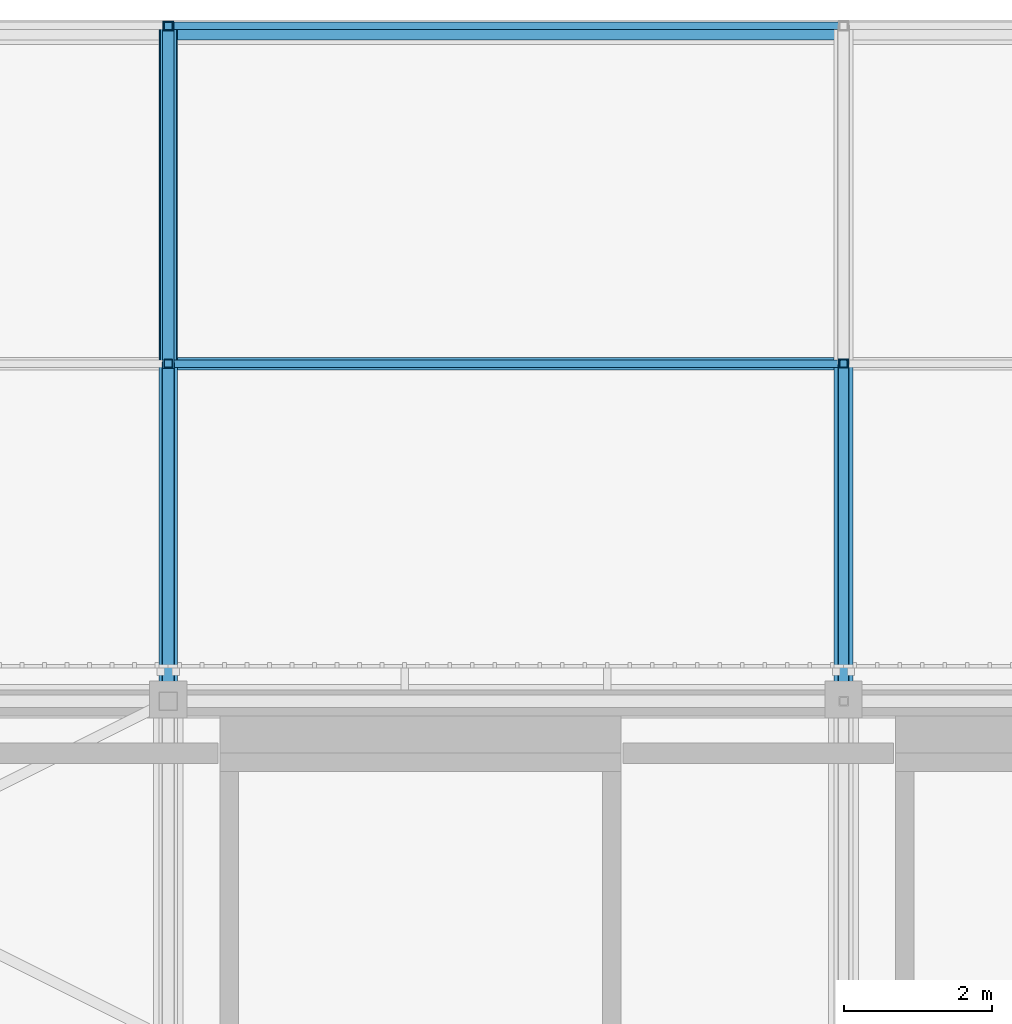
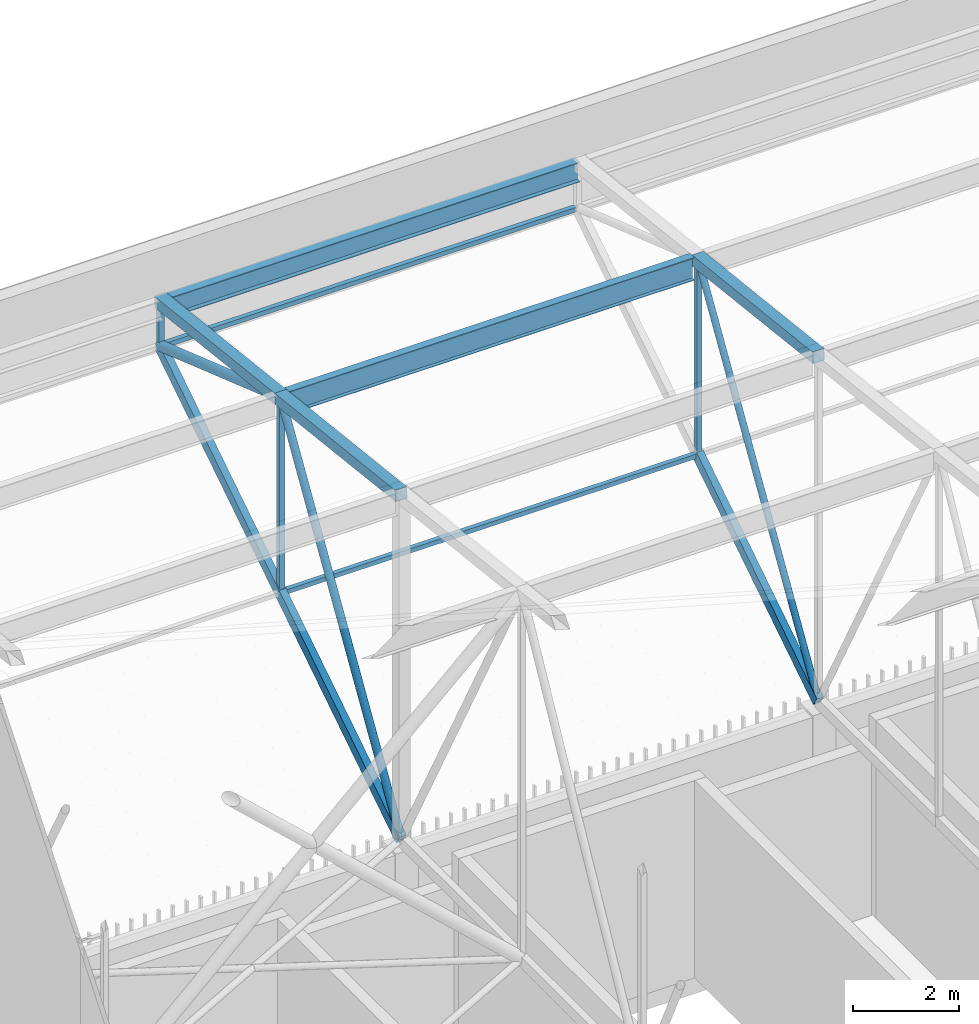
# One storey, part 234 of 500: 16 members.
"""IFC4 building model written with IfcOpenShell, lengths in metres."""

from ifc_helpers import new_model, si_unit, direction, frame, origin, origin_2d, place, context, subcontext, project, spatial, hollow_rectangle, hollow_circle, i_section, extrude, material, material_profile, profile_set, type_object, element, save


model = new_model("IFC4")

# Units and contexts
model_context = context("Model", 3, precision=1e-05, world=origin(), true_north=direction((0.0, 1.0)))
body_context = subcontext(model_context, "Body", "Model", "MODEL_VIEW")
ifc_project = project(units=[si_unit("LENGTHUNIT", "METRE"), si_unit("AREAUNIT", "SQUARE_METRE"), si_unit("VOLUMEUNIT", "CUBIC_METRE"), si_unit("PLANEANGLEUNIT", "RADIAN"), si_unit("MASSUNIT", "GRAM", prefix="KILO")], contexts=[model_context])

# Site, building, storey
site_placement = place(None, origin())
site = spatial("IfcSite", under=ifc_project, at=site_placement, CompositionType="ELEMENT")
building_placement = place(site_placement, origin())
building = spatial("IfcBuilding", under=site, at=building_placement, Name="Shirokan Park Arena", CompositionType="ELEMENT")
storey_placement = place(building_placement, frame((0.0, 0.0, 29.1201171875)))
storey = spatial("IfcBuildingStorey", under=building, at=storey_placement, Name="L06", CompositionType="ELEMENT", Elevation=29.1201171875)

# Members
ifc_material_1 = material(Name="Steel ASTM A500 Grade C", Category="steel")
ifc_material_profile_1 = material_profile(ifc_material_1, hollow_rectangle(XDim=0.152099609375, YDim=0.25390625, WallThickness=0.009521484375, at=origin_2d()), Name="HSS254X152.4X9.5")
ifc_profile_set_1 = profile_set([ifc_material_profile_1], Name="Steel ASTM A500 Grade C")
member_type_1 = type_object("IfcMemberType", Name="Bottom chord HSS254X152.4X9.5", PredefinedType="CHORD", material=ifc_profile_set_1)
for number, where, z_axis, x_axis, name in (
    (1, (9.10009765625, 109.199951171875, 4.677001953125), (0.0, 0.840971691661, 0.541079119746), (-1.0, 0.0, 0.0), "Truss T02 bottom chord 27"),
    (2, (9.10009765625, 113.75, 7.6044921875), (0.0, 0.840971691661, 0.541079119746), (-1.0, 0.0, 0.0), "Truss T02 bottom chord 28"),
    (3, (18.199951171875, 109.199951171875, 4.677001953125), (0.0, 0.840971691661, 0.541079119746), (-1.0, 0.0, 0.0), "Truss T03 bottom chord 27"),
):
    element("IfcMember", number, at=place(storey_placement, frame(where, z_axis=z_axis, x_axis=x_axis)), inside=storey, type_object=member_type_1, Name=name, PredefinedType="CHORD", context=body_context, shape_type="SweptSolid", body=[
        extrude(hollow_rectangle(XDim=0.152099609375, YDim=0.25390625, WallThickness=0.009521484375, at=origin_2d()), origin(), (0.0, 0.0, 1.0), 5.410400390625),
    ])
ifc_material_profile_2 = material_profile(ifc_material_1, hollow_rectangle(XDim=0.10205078125, YDim=0.10205078125, WallThickness=0.00634765625, at=origin_2d()), Name="HSS101.6X101.6X6.4")
ifc_profile_set_2 = profile_set([ifc_material_profile_2], Name="Steel ASTM A500 Grade C")
member_type_2 = type_object("IfcMemberType", Name="Eave soffit rail HSS101.6X101.6X6.4", PredefinedType="USERDEFINED", material=ifc_profile_set_2)
for number, where, z_axis, x_axis, name in (
    (4, (9.156982421875, 118.300048828125, 10.531982421875), (1.0, 0.0, 0.0), (0.0, 1.0, 0.0), "Eave soffit rail N 29 bay 2"),
    (5, (9.156982421875, 113.75, 7.6044921875), (1.0, 0.0, 0.0), (0.0, 1.0, 0.0), "Eave soffit rail N 28 bay 2"),
):
    element("IfcMember", number, at=place(storey_placement, frame(where, z_axis=z_axis, x_axis=x_axis)), inside=storey, type_object=member_type_2, Name=name, ObjectType="EAVE SOFFIT RAIL", PredefinedType="USERDEFINED", context=body_context, shape_type="SweptSolid", body=[
        extrude(hollow_rectangle(XDim=0.10205078125, YDim=0.10205078125, WallThickness=0.00634765625, at=origin_2d()), origin(), (0.0, 0.0, 1.0), 8.986083984375),
    ])
ifc_material_2 = material(Name="Steel ASTM A992", Category="steel")
ifc_material_profile_3 = material_profile(ifc_material_2, i_section(OverallWidth=0.166015625, OverallDepth=0.528076171875, WebThickness=0.009765625, FlangeThickness=0.013671875, at=origin_2d()), Name="W530X74")
ifc_profile_set_3 = profile_set([ifc_material_profile_3], Name="Steel ASTM A992")
member_type_3 = type_object("IfcMemberType", Name="Purlin W530X74", PredefinedType="PURLIN", material=ifc_profile_set_3)
member_1_placement = place(storey_placement, frame((9.22705078125, 113.75, 11.9658203125), z_axis=(1.0, 0.0, 0.0), x_axis=(0.0, 1.0, 0.0)))
element("IfcMember", 6, at=member_1_placement, inside=storey, type_object=member_type_3, Name="Purlin 28 bay 2", PredefinedType="PURLIN", context=body_context, shape_type="SweptSolid", body=[
    extrude(i_section(OverallWidth=0.166015625, OverallDepth=0.528076171875, WebThickness=0.009765625, FlangeThickness=0.013671875, at=origin_2d()), origin(), (0.0, 0.0, 1.0), 8.845947265625),
])
ifc_material_profile_4 = material_profile(ifc_material_2, i_section(OverallWidth=0.19091796875, OverallDepth=0.45703125, WebThickness=0.009033203125, FlangeThickness=0.014404296875, at=origin_2d()), Name="W460X74")
ifc_profile_set_4 = profile_set([ifc_material_profile_4], Name="Steel ASTM A992")
member_type_4 = type_object("IfcMemberType", Name="Roof edge beam W460X74", PredefinedType="USERDEFINED", material=ifc_profile_set_4)
member_2_placement = place(storey_placement, frame((9.156982421875, 118.20458984375, 11.4814453125), z_axis=(1.0, 0.0, 0.0), x_axis=(0.0, 1.0, 0.0)))
element("IfcMember", 7, at=member_2_placement, inside=storey, type_object=member_type_4, Name="Roof edge beam N 3", ObjectType="ROOF EDGE BEAM", PredefinedType="USERDEFINED", context=body_context, shape_type="SweptSolid", body=[
    extrude(i_section(OverallWidth=0.19091796875, OverallDepth=0.45703125, WebThickness=0.009033203125, FlangeThickness=0.014404296875, at=origin_2d()), origin(), (0.0, 0.0, 1.0), 8.986083984375),
])
ifc_material_profile_5 = material_profile(ifc_material_1, hollow_rectangle(XDim=0.25390625, YDim=0.25390625, WallThickness=0.009521484375, at=origin_2d()), Name="HSS254X254X9.5")
ifc_profile_set_5 = profile_set([ifc_material_profile_5], Name="Steel ASTM A500 Grade C")
member_type_5 = type_object("IfcMemberType", Name="Top chord HSS254X254X9.5", PredefinedType="CHORD", material=ifc_profile_set_5)
for number, where, z_axis, x_axis, name in (
    (8, (9.10009765625, 109.199951171875, 12.622802734375), (0.0, 0.993532328996, -0.113549598152), (-1.0, 0.0, 0.0), "Truss T02 top chord 27"),
    (9, (9.10009765625, 113.75, 12.102783203125), (0.0, 0.993532328996, -0.113549598152), (-1.0, 0.0, 0.0), "Truss T02 top chord 28"),
    (10, (18.199951171875, 109.199951171875, 12.622802734375), (0.0, 0.993532328996, -0.113549598152), (-1.0, 0.0, 0.0), "Truss T03 top chord 27"),
):
    element("IfcMember", number, at=place(storey_placement, frame(where, z_axis=z_axis, x_axis=x_axis)), inside=storey, type_object=member_type_5, Name=name, PredefinedType="CHORD", context=body_context, shape_type="SweptSolid", body=[
        extrude(hollow_rectangle(XDim=0.25390625, YDim=0.25390625, WallThickness=0.009521484375, at=origin_2d()), origin(), (0.0, 0.0, 1.0), 4.57958984375),
    ])
ifc_material_profile_6 = material_profile(ifc_material_1, hollow_circle(Radius=0.070556640625, WallThickness=0.006591796875, at=origin_2d()), Name="HSS141.3X6.6")
ifc_profile_set_6 = profile_set([ifc_material_profile_6], Name="Steel ASTM A500 Grade C")
member_type_6 = type_object("IfcMemberType", Name="Truss diagonal HSS141.3X6.6", PredefinedType="BRACE", material=ifc_profile_set_6)
member_3_placement = place(storey_placement, frame((18.199951171875, 109.199951171875, 4.677001953125), z_axis=(0.0, 0.522458847856, 0.852664501605), x_axis=(-1.0, 0.0, 0.0)))
element("IfcMember", 11, at=member_3_placement, inside=storey, type_object=member_type_6, Name="Truss T03 diagonal 27", PredefinedType="BRACE", context=body_context, shape_type="SweptSolid", body=[
    extrude(hollow_circle(Radius=0.070556640625, WallThickness=0.006591796875, at=origin_2d()), origin(), (0.0, 0.0, 1.0), 8.708984375),
])
ifc_material_profile_7 = material_profile(ifc_material_1, hollow_circle(Radius=0.083984375, WallThickness=0.009521484375, at=origin_2d()), Name="HSS168.3X9.5")
ifc_profile_set_7 = profile_set([ifc_material_profile_7], Name="Steel ASTM A500 Grade C")
member_type_7 = type_object("IfcMemberType", Name="Truss diagonal HSS168.3X9.5", PredefinedType="BRACE", material=ifc_profile_set_7)
member_4_placement = place(storey_placement, frame((9.10009765625, 109.199951171875, 4.677001953125), z_axis=(0.0, 0.522458847856, 0.852664501605), x_axis=(-1.0, 0.0, 0.0)))
element("IfcMember", 12, at=member_4_placement, inside=storey, type_object=member_type_7, Name="Truss T02 diagonal 27", PredefinedType="BRACE", context=body_context, shape_type="SweptSolid", body=[
    extrude(hollow_circle(Radius=0.083984375, WallThickness=0.009521484375, at=origin_2d()), origin(), (0.0, 0.0, 1.0), 8.708984375),
])
ifc_material_profile_8 = material_profile(ifc_material_1, hollow_circle(Radius=0.109619140625, WallThickness=0.009521484375, at=origin_2d()), Name="HSS219.1X9.5")
ifc_profile_set_8 = profile_set([ifc_material_profile_8], Name="Steel ASTM A500 Grade C")
member_type_8 = type_object("IfcMemberType", Name="Truss diagonal HSS219.1X9.5", PredefinedType="BRACE", material=ifc_profile_set_8)
member_5_placement = place(storey_placement, frame((9.10009765625, 113.75, 12.102783203125), z_axis=(0.0, 0.945256498603, -0.326328288459), x_axis=(-1.0, 0.0, 0.0)))
element("IfcMember", 13, at=member_5_placement, inside=storey, type_object=member_type_8, Name="Truss T02 diagonal 28", PredefinedType="BRACE", context=body_context, shape_type="SweptSolid", body=[
    extrude(hollow_circle(Radius=0.109619140625, WallThickness=0.009521484375, at=origin_2d()), origin(), (0.0, 0.0, 1.0), 4.8134765625),
])
ifc_material_profile_9 = material_profile(ifc_material_1, hollow_rectangle(XDim=0.114013671875, YDim=0.114013671875, WallThickness=0.00634765625, at=origin_2d()), Name="HSS114.3X114.3X6.4")
ifc_profile_set_9 = profile_set([ifc_material_profile_9], Name="Steel ASTM A500 Grade C")
member_type_9 = type_object("IfcMemberType", Name="Truss post HSS114.3X114.3X6.4", PredefinedType="POST", material=ifc_profile_set_9)
member_6_placement = place(storey_placement, frame((9.10009765625, 113.75, 7.6044921875), z_axis=(0.0, 0.0, 1.0), x_axis=(1.0, 0.0, 0.0)))
element("IfcMember", 14, at=member_6_placement, inside=storey, type_object=member_type_9, Name="Truss T02 post 28", PredefinedType="POST", context=body_context, shape_type="SweptSolid", body=[
    extrude(hollow_rectangle(XDim=0.114013671875, YDim=0.114013671875, WallThickness=0.00634765625, at=origin_2d()), origin(), (0.0, 0.0, 1.0), 4.498291015625),
])
member_7_placement = place(storey_placement, frame((9.10009765625, 118.300048828125, 10.531982421875), z_axis=(0.0, 0.0, 1.0), x_axis=(1.0, 0.0, 0.0)))
element("IfcMember", 15, at=member_7_placement, inside=storey, type_object=member_type_9, Name="Truss T02 post 29", PredefinedType="POST", context=body_context, shape_type="SweptSolid", body=[
    extrude(hollow_rectangle(XDim=0.114013671875, YDim=0.114013671875, WallThickness=0.00634765625, at=origin_2d()), origin(), (0.0, 0.0, 1.0), 1.05078125),
])
member_8_placement = place(storey_placement, frame((18.199951171875, 113.75, 7.6044921875), z_axis=(0.0, 0.0, 1.0), x_axis=(1.0, 0.0, 0.0)))
element("IfcMember", 16, at=member_8_placement, inside=storey, type_object=member_type_9, Name="Truss T03 post 28", PredefinedType="POST", context=body_context, shape_type="SweptSolid", body=[
    extrude(hollow_rectangle(XDim=0.114013671875, YDim=0.114013671875, WallThickness=0.00634765625, at=origin_2d()), origin(), (0.0, 0.0, 1.0), 4.498291015625),
])

save(model, "model.ifc")
